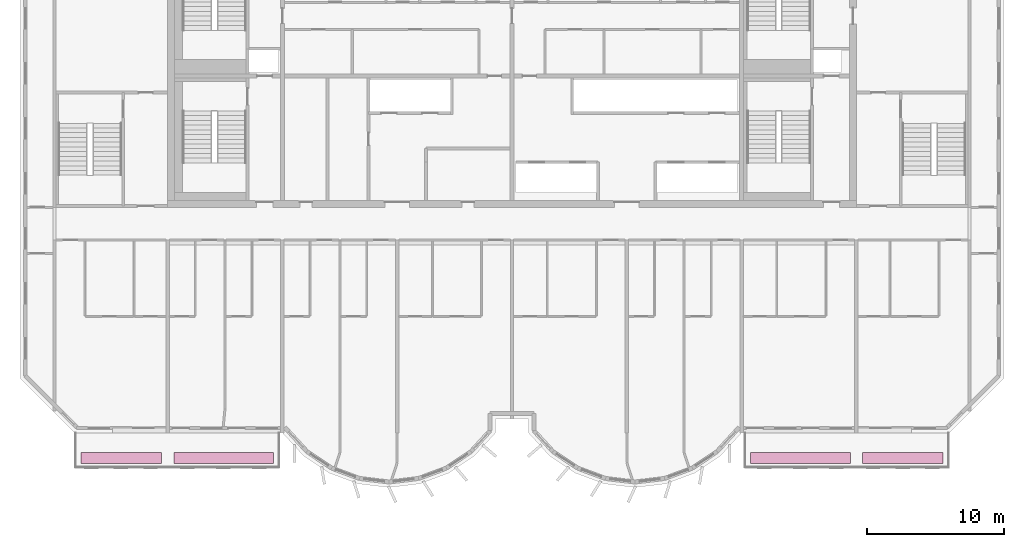
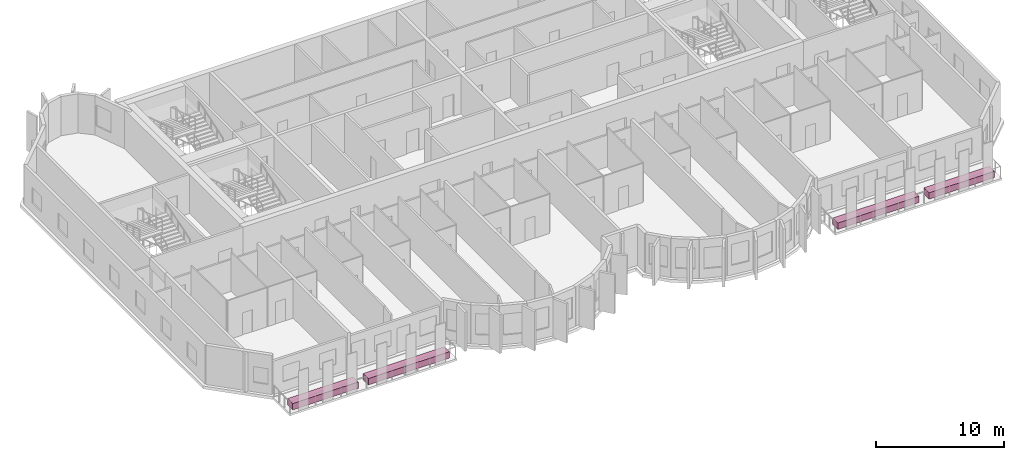
# One storey, part 12 of 12: 4 furniture elements.
"""IFC4 building model written with IfcOpenShell, lengths in metres."""

from ifc_helpers import new_model, si_unit, direction, frame, origin, origin_2d, place, context, subcontext, project, spatial, rectangle, extrude, source, transform, mapped, material, type_object, element, save


model = new_model("IFC4")

# Units and contexts
model_context = context("Model", 3, precision=1e-05, world=origin(), true_north=direction((0.0, 1.0)))
body_context = subcontext(model_context, "Body", "Model", "MODEL_VIEW")
ifc_project = project(units=[si_unit("LENGTHUNIT", "METRE"), si_unit("AREAUNIT", "SQUARE_METRE"), si_unit("VOLUMEUNIT", "CUBIC_METRE"), si_unit("PLANEANGLEUNIT", "RADIAN"), si_unit("MASSUNIT", "GRAM", prefix="KILO")], contexts=[model_context])

# Site, building, storey
site_placement = place(None, origin())
site = spatial("IfcSite", under=ifc_project, at=site_placement, CompositionType="ELEMENT")
building_placement = place(site_placement, origin())
building = spatial("IfcBuilding", under=site, at=building_placement, Name="Vanashikhar Sky Hotel", CompositionType="ELEMENT")
storey_placement = place(building_placement, frame((0.0, 0.0, 293.699951171875)))
storey = spatial("IfcBuildingStorey", under=building, at=storey_placement, Name="L70", CompositionType="ELEMENT", Elevation=293.699951171875)

# Furniture
ifc_material = material(Name="Planting soil and shrubs")
furniture_type = type_object("IfcFurnitureType", Name="Planter trough", AssemblyPlace="NOTDEFINED", PredefinedType="USERDEFINED", material=ifc_material)
shared_shape_1 = source(origin(), body_context, "Body", "SweptSolid", [
    extrude(rectangle(XDim=7.300048828125, YDim=0.800048828125, at=origin_2d()), origin(), (0.0, 0.0, 1.0), 0.60009765625),
])
for number, where, z_axis, x_axis, name in (
    (1, (29.300048828125, 3.64990234375, -0.050048828125), (0.0, 0.0, 1.0), (1.0, 0.0, 0.0), "PLANTER with climbers"),
    (2, (71.5, 3.64990234375, -0.050048828125), (0.0, 0.0, 1.0), (1.0, 0.0, 0.0), "PLANTER with climbers"),
):
    element("IfcFurniture", number, at=place(storey_placement, frame(where, z_axis=z_axis, x_axis=x_axis)), inside=storey, type_object=furniture_type, Name=name, ObjectType="PLANTER", PredefinedType="USERDEFINED", context=body_context, shape_type="MappedRepresentation", body=[
        mapped(shared_shape_1, transform((0.0, 0.0, 0.0), scale=1.0)),
    ])
shared_shape_2 = source(origin(), body_context, "Body", "SweptSolid", [
    extrude(rectangle(XDim=5.89990234375, YDim=0.800048828125, at=origin_2d()), origin(), (0.0, 0.0, 1.0), 0.60009765625),
])
for number, where, z_axis, x_axis, name in (
    (3, (21.800048828125, 3.64990234375, -0.050048828125), (0.0, 0.0, 1.0), (1.0, 0.0, 0.0), "PLANTER with climbers"),
    (4, (79.0, 3.64990234375, -0.050048828125), (0.0, 0.0, 1.0), (1.0, 0.0, 0.0), "PLANTER with climbers"),
):
    element("IfcFurniture", number, at=place(storey_placement, frame(where, z_axis=z_axis, x_axis=x_axis)), inside=storey, type_object=furniture_type, Name=name, ObjectType="PLANTER", PredefinedType="USERDEFINED", context=body_context, shape_type="MappedRepresentation", body=[
        mapped(shared_shape_2, transform((0.0, 0.0, 0.0), scale=1.0)),
    ])

save(model, "model.ifc")
